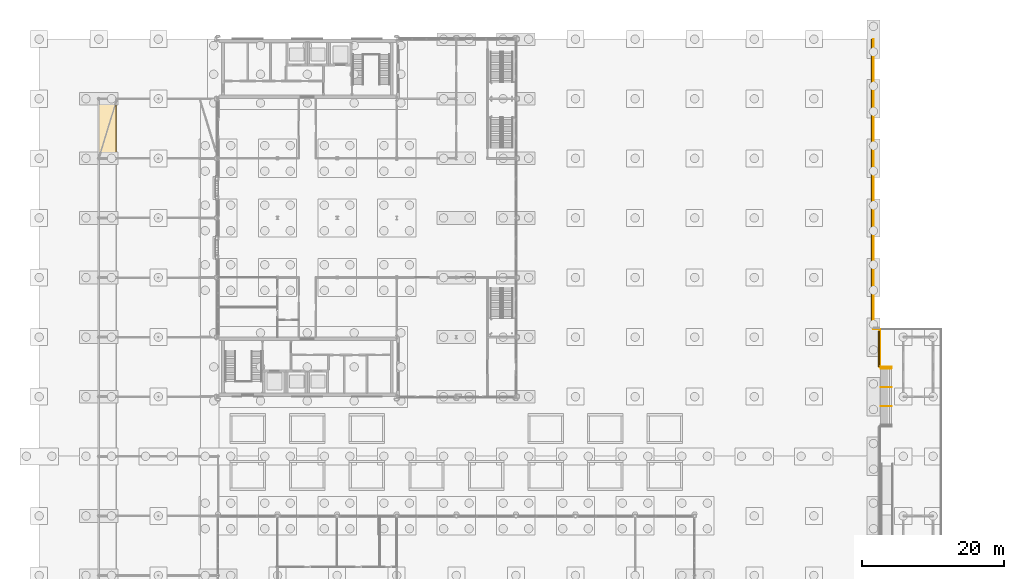
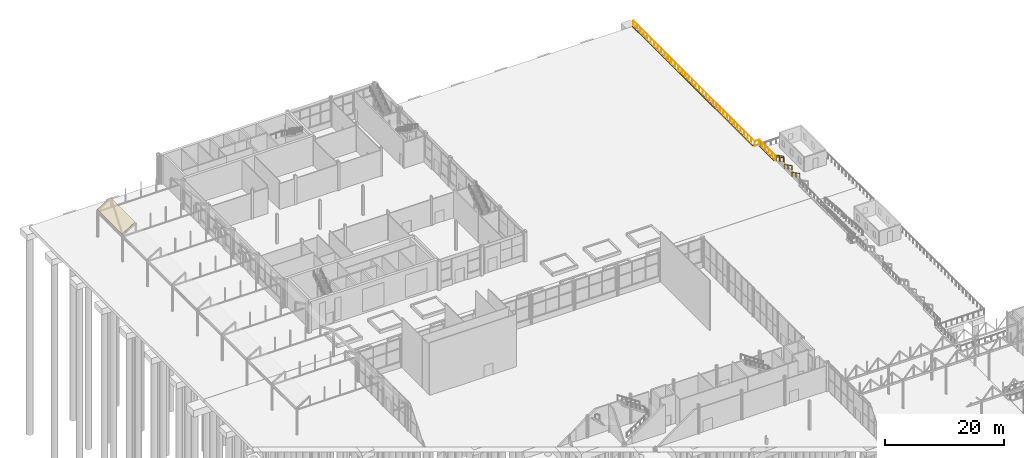
# One storey, part 205 of 212: 5 railings, 3 coverings.
"""IFC4 building model written with IfcOpenShell, lengths in metres."""

from ifc_helpers import new_model, si_unit, direction, frame, origin, origin_2d, place, context, subcontext, project, spatial, polyline, rectangle, circle, outline, extrude, material, layer, layer_set, type_object, element, save


model = new_model("IFC4")

# Units and contexts
model_context = context("Model", 3, precision=1e-05, world=origin(), true_north=direction((0.0, 1.0)))
body_context = subcontext(model_context, "Body", "Model", "MODEL_VIEW")
ifc_project = project(units=[si_unit("LENGTHUNIT", "METRE"), si_unit("AREAUNIT", "SQUARE_METRE"), si_unit("VOLUMEUNIT", "CUBIC_METRE"), si_unit("PLANEANGLEUNIT", "RADIAN"), si_unit("MASSUNIT", "GRAM", prefix="KILO")], contexts=[model_context])

# Site, building, storey
site_placement = place(None, origin())
site = spatial("IfcSite", under=ifc_project, at=site_placement, CompositionType="ELEMENT")
building_placement = place(site_placement, origin())
building = spatial("IfcBuilding", under=site, at=building_placement, Name="Catenary Quay Ferry Terminal", CompositionType="ELEMENT")
storey_placement = place(building_placement, origin())
storey = spatial("IfcBuildingStorey", under=building, at=storey_placement, Name="L00", CompositionType="ELEMENT", Elevation=0.0)

# Railings
ifc_material_1 = material(Name="Galvanised steel", Category="steel")
railing_type_1 = type_object("IfcRailingType", Name="GQ1", PredefinedType="GUARDRAIL", material=ifc_material_1)
railing_1_placement = place(storey_placement, frame((118.52001953125, 163.800048828125, 0.0)))
element("IfcRailing", 1, at=railing_1_placement, inside=storey, type_object=railing_type_1, Name="RIVER EDGE OF THE QUAY DECK", PredefinedType="GUARDRAIL", context=body_context, shape_type="SweptSolid", body=[
    extrude(circle(Radius=0.02392578125, at=origin_2d()), frame((0.0, 0.0, 1.076171875), z_axis=(0.0, 1.0, 0.0), x_axis=(-1.0, 0.0, 0.0)), (0.0, 0.0, 1.0), 5.300048828125),
    extrude(circle(Radius=0.02392578125, at=origin_2d()), frame((0.0, 5.300048828125, 1.076171875), z_axis=(-1.0, 0.0, 0.0), x_axis=(0.0, -1.0, 0.0)), (0.0, 0.0, 1.0), 0.919921875),
    extrude(circle(Radius=0.02392578125, at=origin_2d()), frame((-0.919921875, 5.300048828125, 1.076171875), z_axis=(0.0, 1.0, 0.0), x_axis=(-1.0, 0.0, 0.0)), (0.0, 0.0, 1.0), 40.89990234375),
    extrude(circle(Radius=0.02099609375, at=origin_2d()), origin(), (0.0, 0.0, 1.0), 1.052001953125),
    extrude(circle(Radius=0.02099609375, at=origin_2d()), frame((0.0, 1.06005859375, 0.0)), (0.0, 0.0, 1.0), 1.052001953125),
    extrude(circle(Radius=0.02099609375, at=origin_2d()), frame((0.0, 2.1201171875, 0.0)), (0.0, 0.0, 1.0), 1.052001953125),
    extrude(circle(Radius=0.02099609375, at=origin_2d()), frame((0.0, 3.179931640625, 0.0)), (0.0, 0.0, 1.0), 1.052001953125),
    extrude(circle(Radius=0.02099609375, at=origin_2d()), frame((0.0, 4.239990234375, 0.0)), (0.0, 0.0, 1.0), 1.052001953125),
    extrude(circle(Radius=0.02099609375, at=origin_2d()), frame((0.0, 5.300048828125, 0.0)), (0.0, 0.0, 1.0), 1.052001953125),
    extrude(circle(Radius=0.02099609375, at=origin_2d()), frame((-0.919921875, 5.300048828125, 0.0)), (0.0, 0.0, 1.0), 1.052001953125),
    extrude(circle(Radius=0.02099609375, at=origin_2d()), frame((-0.919921875, 6.468505859375, 0.0)), (0.0, 0.0, 1.0), 1.052001953125),
    extrude(circle(Radius=0.02099609375, at=origin_2d()), frame((-0.919921875, 7.63720703125, 0.0)), (0.0, 0.0, 1.0), 1.052001953125),
    extrude(circle(Radius=0.02099609375, at=origin_2d()), frame((-0.919921875, 8.8056640625, 0.0)), (0.0, 0.0, 1.0), 1.052001953125),
    extrude(circle(Radius=0.02099609375, at=origin_2d()), frame((-0.919921875, 9.974365234375, 0.0)), (0.0, 0.0, 1.0), 1.052001953125),
    extrude(circle(Radius=0.02099609375, at=origin_2d()), frame((-0.919921875, 11.142822265625, 0.0)), (0.0, 0.0, 1.0), 1.052001953125),
    extrude(circle(Radius=0.02099609375, at=origin_2d()), frame((-0.919921875, 12.3115234375, 0.0)), (0.0, 0.0, 1.0), 1.052001953125),
    extrude(circle(Radius=0.02099609375, at=origin_2d()), frame((-0.919921875, 13.47998046875, 0.0)), (0.0, 0.0, 1.0), 1.052001953125),
    extrude(circle(Radius=0.02099609375, at=origin_2d()), frame((-0.919921875, 14.648681640625, 0.0)), (0.0, 0.0, 1.0), 1.052001953125),
    extrude(circle(Radius=0.02099609375, at=origin_2d()), frame((-0.919921875, 15.817138671875, 0.0)), (0.0, 0.0, 1.0), 1.052001953125),
    extrude(circle(Radius=0.02099609375, at=origin_2d()), frame((-0.919921875, 16.98583984375, 0.0)), (0.0, 0.0, 1.0), 1.052001953125),
    extrude(circle(Radius=0.02099609375, at=origin_2d()), frame((-0.919921875, 18.154296875, 0.0)), (0.0, 0.0, 1.0), 1.052001953125),
    extrude(circle(Radius=0.02099609375, at=origin_2d()), frame((-0.919921875, 19.32275390625, 0.0)), (0.0, 0.0, 1.0), 1.052001953125),
    extrude(circle(Radius=0.02099609375, at=origin_2d()), frame((-0.919921875, 20.491455078125, 0.0)), (0.0, 0.0, 1.0), 1.052001953125),
    extrude(circle(Radius=0.02099609375, at=origin_2d()), frame((-0.919921875, 21.659912109375, 0.0)), (0.0, 0.0, 1.0), 1.052001953125),
    extrude(circle(Radius=0.02099609375, at=origin_2d()), frame((-0.919921875, 22.82861328125, 0.0)), (0.0, 0.0, 1.0), 1.052001953125),
    extrude(circle(Radius=0.02099609375, at=origin_2d()), frame((-0.919921875, 23.9970703125, 0.0)), (0.0, 0.0, 1.0), 1.052001953125),
    extrude(circle(Radius=0.02099609375, at=origin_2d()), frame((-0.919921875, 25.165771484375, 0.0)), (0.0, 0.0, 1.0), 1.052001953125),
    extrude(circle(Radius=0.02099609375, at=origin_2d()), frame((-0.919921875, 26.334228515625, 0.0)), (0.0, 0.0, 1.0), 1.052001953125),
    extrude(circle(Radius=0.02099609375, at=origin_2d()), frame((-0.919921875, 27.5029296875, 0.0)), (0.0, 0.0, 1.0), 1.052001953125),
    extrude(circle(Radius=0.02099609375, at=origin_2d()), frame((-0.919921875, 28.67138671875, 0.0)), (0.0, 0.0, 1.0), 1.052001953125),
    extrude(circle(Radius=0.02099609375, at=origin_2d()), frame((-0.919921875, 29.840087890625, 0.0)), (0.0, 0.0, 1.0), 1.052001953125),
    extrude(circle(Radius=0.02099609375, at=origin_2d()), frame((-0.919921875, 31.008544921875, 0.0)), (0.0, 0.0, 1.0), 1.052001953125),
    extrude(circle(Radius=0.02099609375, at=origin_2d()), frame((-0.919921875, 32.17724609375, 0.0)), (0.0, 0.0, 1.0), 1.052001953125),
    extrude(circle(Radius=0.02099609375, at=origin_2d()), frame((-0.919921875, 33.345703125, 0.0)), (0.0, 0.0, 1.0), 1.052001953125),
    extrude(circle(Radius=0.02099609375, at=origin_2d()), frame((-0.919921875, 34.51416015625, 0.0)), (0.0, 0.0, 1.0), 1.052001953125),
    extrude(circle(Radius=0.02099609375, at=origin_2d()), frame((-0.919921875, 35.682861328125, 0.0)), (0.0, 0.0, 1.0), 1.052001953125),
    extrude(circle(Radius=0.02099609375, at=origin_2d()), frame((-0.919921875, 36.851318359375, 0.0)), (0.0, 0.0, 1.0), 1.052001953125),
    extrude(circle(Radius=0.02099609375, at=origin_2d()), frame((-0.919921875, 38.02001953125, 0.0)), (0.0, 0.0, 1.0), 1.052001953125),
    extrude(circle(Radius=0.02099609375, at=origin_2d()), frame((-0.919921875, 39.1884765625, 0.0)), (0.0, 0.0, 1.0), 1.052001953125),
    extrude(circle(Radius=0.02099609375, at=origin_2d()), frame((-0.919921875, 40.357177734375, 0.0)), (0.0, 0.0, 1.0), 1.052001953125),
    extrude(circle(Radius=0.02099609375, at=origin_2d()), frame((-0.919921875, 41.525634765625, 0.0)), (0.0, 0.0, 1.0), 1.052001953125),
    extrude(circle(Radius=0.02099609375, at=origin_2d()), frame((-0.919921875, 42.6943359375, 0.0)), (0.0, 0.0, 1.0), 1.052001953125),
    extrude(circle(Radius=0.02099609375, at=origin_2d()), frame((-0.919921875, 43.86279296875, 0.0)), (0.0, 0.0, 1.0), 1.052001953125),
    extrude(circle(Radius=0.02099609375, at=origin_2d()), frame((-0.919921875, 45.031494140625, 0.0)), (0.0, 0.0, 1.0), 1.052001953125),
    extrude(circle(Radius=0.02099609375, at=origin_2d()), frame((-0.919921875, 46.199951171875, 0.0)), (0.0, 0.0, 1.0), 1.052001953125),
])
ifc_material_2 = material(Name="Galvanised steel", Category="steel")
railing_type_2 = type_object("IfcRailingType", Name="GR2", PredefinedType="GUARDRAIL", material=ifc_material_2)
railing_2_placement = place(storey_placement, frame((118.6298828125, 163.800048828125, 0.0)))
element("IfcRailing", 2, at=railing_2_placement, inside=storey, type_object=railing_type_2, Name="Guard beside river steps 2", PredefinedType="GUARDRAIL", context=body_context, shape_type="SweptSolid", body=[
    extrude(circle(Radius=0.02392578125, at=origin_2d()), frame((0.0, 0.0, 1.076171875), z_axis=(0.894427191, 0.0, -0.4472135955), x_axis=(0.0, 1.0, 0.0)), (0.0, 0.0, 1.0), 1.677001953125),
    extrude(circle(Radius=0.02099609375, at=origin_2d()), origin(), (0.0, 0.0, 1.0), 1.052001953125),
    extrude(circle(Radius=0.02099609375, at=origin_2d()), frame((0.75, 0.0, -0.375)), (0.0, 0.0, 1.0), 1.052001953125),
    extrude(circle(Radius=0.02099609375, at=origin_2d()), frame((1.5, 0.0, -0.75)), (0.0, 0.0, 1.0), 1.052001953125),
])
ifc_material_3 = material(Name="Stainless steel", Category="steel")
railing_type_3 = type_object("IfcRailingType", Name="HR2", PredefinedType="HANDRAIL", material=ifc_material_3)
for number, where, name in (
    (3, (118.6298828125, 158.2666015625, 0.0), "Handrail river steps 2"),
    (4, (118.6298828125, 160.933349609375, 0.0), "Handrail river steps 2"),
    (5, (118.6298828125, 163.60009765625, 0.0), "Handrail river steps 2"),
):
    element("IfcRailing", number, at=place(storey_placement, frame(where)), inside=storey, type_object=railing_type_3, Name=name, PredefinedType="HANDRAIL", context=body_context, shape_type="SweptSolid", body=[
        extrude(circle(Radius=0.02392578125, at=origin_2d()), frame((0.0, 0.0, 0.8759765625), z_axis=(0.894427191, 0.0, -0.4472135955), x_axis=(0.0, 1.0, 0.0)), (0.0, 0.0, 1.0), 1.677001953125),
        extrude(circle(Radius=0.02099609375, at=origin_2d()), origin(), (0.0, 0.0, 1.0), 0.851806640625),
        extrude(circle(Radius=0.02099609375, at=origin_2d()), frame((0.75, 0.0, -0.375)), (0.0, 0.0, 1.0), 0.851806640625),
        extrude(circle(Radius=0.02099609375, at=origin_2d()), frame((1.5, 0.0, -0.75)), (0.0, 0.0, 1.0), 0.851806640625),
    ])

# Coverings
ifc_material_4 = material(Name="Precast concrete C35/45", Category="concrete")
ifc_layer_1 = layer(ifc_material_4, 0.14990234375)
ifc_layer_set_1 = layer_set([ifc_layer_1], Name="KB1")
covering_type_1 = type_object("IfcCoveringType", Name="KB1", PredefinedType="FLOORING", material=ifc_layer_set_1)
covering_1_placement = place(storey_placement, frame((118.35009765625, 166.31005859375, 0.0), z_axis=(0.0, 0.0, 1.0), x_axis=(1.0, 0.0, 0.0)))
element("IfcCovering", 6, at=covering_1_placement, inside=storey, type_object=covering_type_1, Name="Edge kerb upstand", PredefinedType="FLOORING", context=body_context, shape_type="SweptSolid", body=[
    extrude(rectangle(XDim=0.219970703125, YDim=5.02001953125, at=origin_2d()), origin(), (0.0, 0.0, 1.0), 0.14990234375),
])
covering_2_placement = place(storey_placement, frame((117.429931640625, 189.68994140625, 0.0), z_axis=(0.0, 0.0, 1.0), x_axis=(1.0, 0.0, 0.0)))
element("IfcCovering", 7, at=covering_2_placement, inside=storey, type_object=covering_type_1, Name="Edge kerb upstand", PredefinedType="FLOORING", context=body_context, shape_type="SweptSolid", body=[
    extrude(rectangle(XDim=0.219970703125, YDim=40.6201171875, at=origin_2d()), origin(), (0.0, 0.0, 1.0), 0.14990234375),
])
ifc_material_5 = material(Name="Laminated glass", Category="glass")
ifc_layer_2 = layer(ifc_material_5, 0.030029296875)
ifc_layer_set_2 = layer_set([ifc_layer_2], Name="RF2")
covering_type_2 = type_object("IfcCoveringType", Name="RF2", PredefinedType="ROOFING", material=ifc_layer_set_2)
covering_3_placement = place(storey_placement, frame((8.265380859375, 193.199951171875, 5.618408203125), z_axis=(-0.524540171999, 0.0, 0.851385698705), x_axis=(0.0, 1.0, 0.0)))
element("IfcCovering", 8, at=covering_3_placement, inside=storey, type_object=covering_type_2, Name="Forecourt canopy roof", PredefinedType="ROOFING", context=body_context, shape_type="SweptSolid", body=[
    extrude(outline(polyline([(0.0, 0.0), (8.400146484375, 0.0), (8.400146484375, -3.0453570472743348), (0.0, -3.0453570472743348), (0.0, 0.0)])), origin(), (0.0, 0.0, -1.0), 0.03515625),
])

save(model, "model.ifc")
